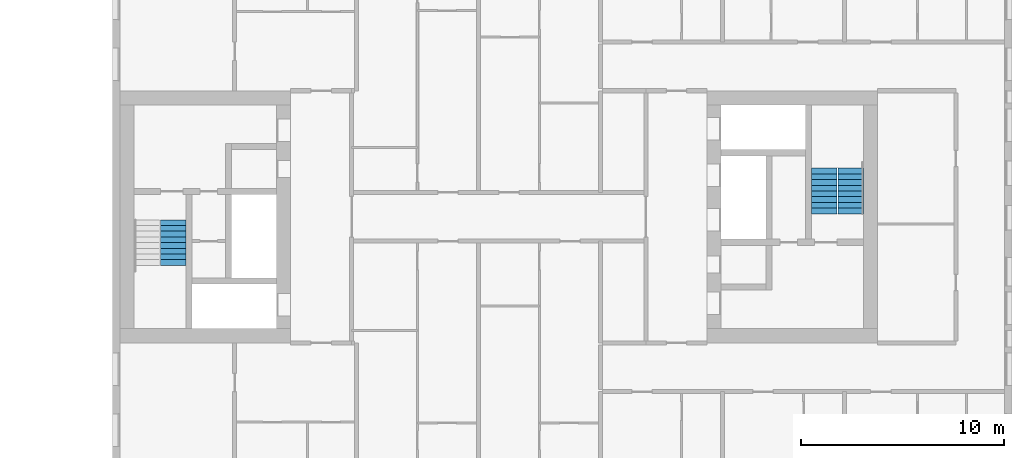
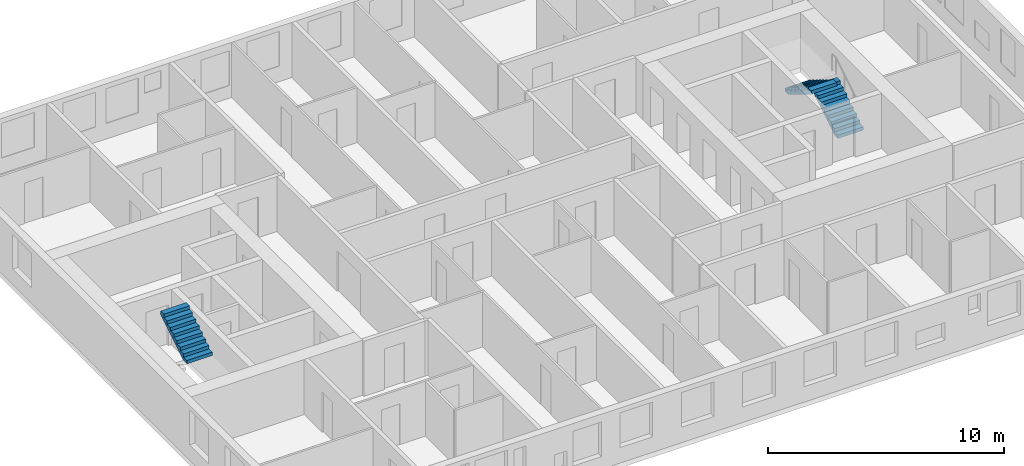
# One storey, part 15 of 17: 3 stair flights, 2 elements without a shape of their own.
"""IFC4 building model written with IfcOpenShell, lengths in metres."""

from ifc_helpers import new_model, si_unit, direction, frame, origin, place, context, subcontext, project, spatial, polyline, outline, extrude, material, type_object, element, aggregate, save


model = new_model("IFC4")

# Units and contexts
model_context = context("Model", 3, precision=1e-05, world=origin(), true_north=direction((0.0, 1.0)))
body_context = subcontext(model_context, "Body", "Model", "MODEL_VIEW")
ifc_project = project(units=[si_unit("LENGTHUNIT", "METRE"), si_unit("AREAUNIT", "SQUARE_METRE"), si_unit("VOLUMEUNIT", "CUBIC_METRE"), si_unit("PLANEANGLEUNIT", "RADIAN"), si_unit("MASSUNIT", "GRAM", prefix="KILO")], contexts=[model_context])

# Site, building, storey
site_placement = place(None, origin())
site = spatial("IfcSite", under=ifc_project, at=site_placement, CompositionType="ELEMENT")
building_placement = place(site_placement, origin())
building = spatial("IfcBuilding", under=site, at=building_placement, Name="Tuart Gate Housing", CompositionType="ELEMENT")
storey_placement = place(building_placement, frame((0.0, 0.0, 77.800048828125)))
storey = spatial("IfcBuildingStorey", under=building, at=storey_placement, Name="L21", CompositionType="ELEMENT", Elevation=77.800048828125)

# Stair, stair flight
ifc_material_1 = material(Name="Concrete C40", Category="concrete")
stair_type = type_object("IfcStairType", Name="Core stair 1250", PredefinedType="HALF_TURN_STAIR", material=ifc_material_1)
stair_1_placement = place(storey_placement, origin())
stair_1 = element("IfcStair", 1, at=stair_1_placement, inside=storey, type_object=stair_type, Name="Stair SB1", PredefinedType="HALF_TURN_STAIR")
ifc_material_2 = material(Name="Concrete C40", Category="concrete")
stair_flight_type = type_object("IfcStairFlightType", Name="Stair flight 1250, 9 risers 172 x 280", PredefinedType="STRAIGHT", material=ifc_material_2)
stair_flight_1_placement = place(storey_placement, frame((133.985107421875, 67.610107421875, 1.550048828125), z_axis=(0.0, 0.0, 1.0), x_axis=(0.0, 1.0, 0.0)))
stair_flight_1 = element("IfcStairFlight", 2, at=stair_flight_1_placement, type_object=stair_flight_type, Name="SB1 flight 2", NumberOfRisers=9, NumberOfTreads=8, PredefinedType="STRAIGHT", RiserHeight=0.172222222, TreadLength=0.28, context=body_context, shape_type="SweptSolid", body=[
    extrude(outline(polyline([(0.0, 0.0), (0.0, 0.172119140625), (0.280029296875, 0.172119140625), (0.280029296875, 0.344482421875), (0.56005859375, 0.344482421875), (0.56005859375, 0.5166015625), (0.840087890625, 0.5166015625), (0.840087890625, 0.68896484375), (1.1201171875, 0.68896484375), (1.1201171875, 0.861083984375), (1.39990234375, 0.861083984375), (1.39990234375, 1.033447265625), (1.679931640625, 1.033447265625), (1.679931640625, 1.20556640625), (1.9599609375, 1.20556640625), (1.9599609375, 1.377685546875), (2.239990234375, 1.377685546875), (2.239990234375, 1.550048828125), (2.239990234375, 1.201904296875), (0.2861328125, 0.0), (0.0, 0.0)])), frame((0.0, 0.625, 0.0), z_axis=(0.0, -1.0, 0.0), x_axis=(1.0, 0.0, 0.0)), (0.0, 0.0, 1.0), 1.25),
])
aggregate(stair_1, [stair_flight_1])

# Stair, stair flights
stair_2_placement = place(storey_placement, origin())
stair_2 = element("IfcStair", 3, at=stair_2_placement, inside=storey, type_object=stair_type, Name="Stair SB2", PredefinedType="HALF_TURN_STAIR")
stair_flight_2_placement = place(storey_placement, frame((167.31494140625, 70.14990234375, 0.0), z_axis=(0.0, 0.0, 1.0), x_axis=(0.0, 1.0, 0.0)))
stair_flight_2 = element("IfcStairFlight", 4, at=stair_flight_2_placement, type_object=stair_flight_type, Name="SB2 flight 1", NumberOfRisers=9, NumberOfTreads=8, PredefinedType="STRAIGHT", RiserHeight=0.172222222, TreadLength=0.28, context=body_context, shape_type="SweptSolid", body=[
    extrude(outline(polyline([(0.0, 0.0), (0.0, 0.172119140625), (0.280029296875, 0.172119140625), (0.280029296875, 0.344482421875), (0.56005859375, 0.344482421875), (0.56005859375, 0.5166015625), (0.840087890625, 0.5166015625), (0.840087890625, 0.68896484375), (1.1201171875, 0.68896484375), (1.1201171875, 0.861083984375), (1.39990234375, 0.861083984375), (1.39990234375, 1.033447265625), (1.679931640625, 1.033447265625), (1.679931640625, 1.20556640625), (1.9599609375, 1.20556640625), (1.9599609375, 1.377685546875), (2.239990234375, 1.377685546875), (2.239990234375, 1.550048828125), (2.239990234375, 1.201904296875), (0.2861328125, 0.0), (0.0, 0.0)])), frame((0.0, 0.625, 0.0), z_axis=(0.0, -1.0, 0.0), x_axis=(1.0, 0.0, 0.0)), (0.0, 0.0, 1.0), 1.25),
])
stair_flight_3_placement = place(storey_placement, frame((166.014892578125, 72.389892578125, 1.550048828125), z_axis=(0.0, 0.0, 1.0), x_axis=(0.0, -1.0, 0.0)))
stair_flight_3 = element("IfcStairFlight", 5, at=stair_flight_3_placement, type_object=stair_flight_type, Name="SB2 flight 2", NumberOfRisers=9, NumberOfTreads=8, PredefinedType="STRAIGHT", RiserHeight=0.172222222, TreadLength=0.28, context=body_context, shape_type="SweptSolid", body=[
    extrude(outline(polyline([(0.0, 0.0), (0.0, 0.172119140625), (0.280029296875, 0.172119140625), (0.280029296875, 0.344482421875), (0.56005859375, 0.344482421875), (0.56005859375, 0.5166015625), (0.840087890625, 0.5166015625), (0.840087890625, 0.68896484375), (1.1201171875, 0.68896484375), (1.1201171875, 0.861083984375), (1.39990234375, 0.861083984375), (1.39990234375, 1.033447265625), (1.679931640625, 1.033447265625), (1.679931640625, 1.20556640625), (1.9599609375, 1.20556640625), (1.9599609375, 1.377685546875), (2.239990234375, 1.377685546875), (2.239990234375, 1.550048828125), (2.239990234375, 1.201904296875), (0.2861328125, 0.0), (0.0, 0.0)])), frame((0.0, 0.625, 0.0), z_axis=(0.0, -1.0, 0.0), x_axis=(1.0, 0.0, 0.0)), (0.0, 0.0, 1.0), 1.25),
])
aggregate(stair_2, [stair_flight_2, stair_flight_3])

save(model, "model.ifc")
